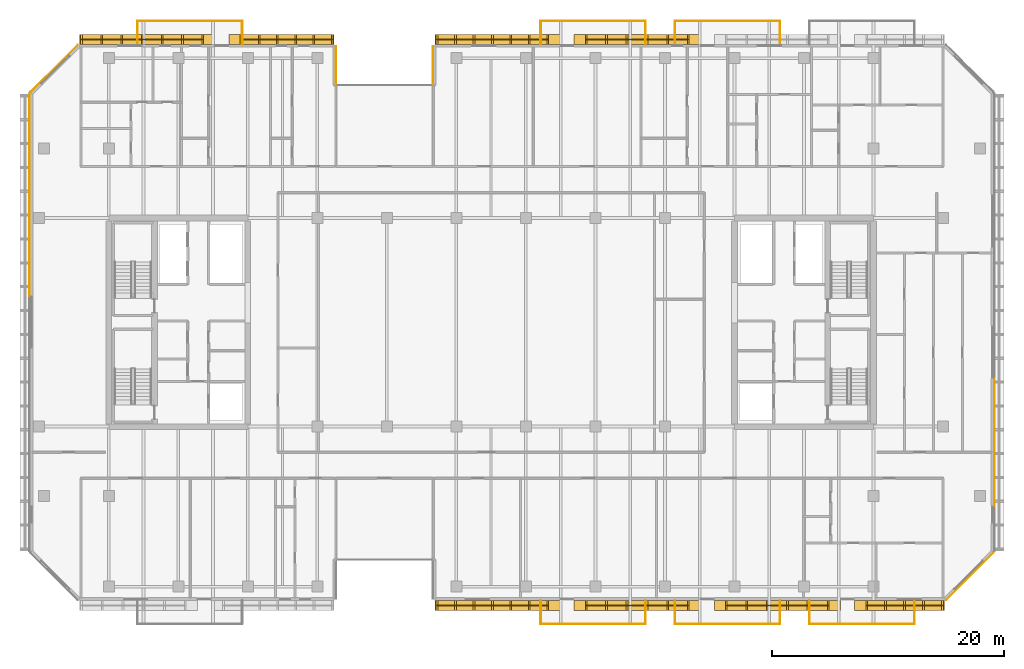
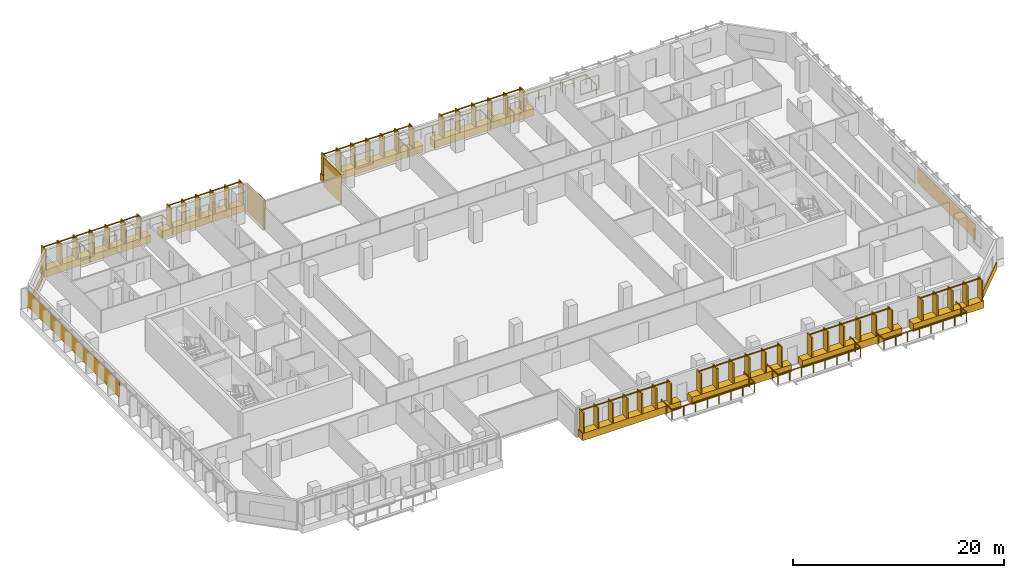
# One storey, part 21 of 23: 14 coverings, 14 railings.
"""IFC4 building model written with IfcOpenShell, lengths in metres."""

from ifc_helpers import new_model, si_unit, direction, frame, origin, origin_2d, place, context, subcontext, project, spatial, rectangle, extrude, material, layer, layer_set, type_object, element, save


model = new_model("IFC4")

# Units and contexts
model_context = context("Model", 3, precision=1e-05, world=origin(), true_north=direction((0.0, 1.0)))
body_context = subcontext(model_context, "Body", "Model", "MODEL_VIEW")
ifc_project = project(units=[si_unit("LENGTHUNIT", "METRE"), si_unit("AREAUNIT", "SQUARE_METRE"), si_unit("VOLUMEUNIT", "CUBIC_METRE"), si_unit("PLANEANGLEUNIT", "RADIAN"), si_unit("MASSUNIT", "GRAM", prefix="KILO")], contexts=[model_context])

# Site, building, storey
site_placement = place(None, origin())
site = spatial("IfcSite", under=ifc_project, at=site_placement, CompositionType="ELEMENT")
building_placement = place(site_placement, origin())
building = spatial("IfcBuilding", under=site, at=building_placement, Name="Tanjung Sevakor Pilgrim Tower", CompositionType="ELEMENT")
storey_placement = place(building_placement, frame((0.0, 0.0, 119.4599609375)))
storey = spatial("IfcBuildingStorey", under=building, at=storey_placement, Name="L33", CompositionType="ELEMENT", Elevation=119.4599609375)

# Coverings
ifc_material_1 = material(Name="Reconstructed Limestone Cladding", Category="masonry")
ifc_layer = layer(ifc_material_1, 0.044921875)
ifc_layer_set = layer_set([ifc_layer], Name="COV-CLAD-LIMESTONE")
covering_type = type_object("IfcCoveringType", Name="COV-CLAD-LIMESTONE", PredefinedType="CLADDING", material=ifc_layer_set)
covering_1_placement = place(storey_placement, frame((57.552490234375, 9.169921875, 0.009765625), z_axis=(0.0, 0.0, 1.0), x_axis=(1.0, 0.0, 0.0)))
element("IfcCovering", 1, at=covering_1_placement, inside=storey, type_object=covering_type, Name="L33 Warm Limestone Sill Spandrel EW-L33-MAIN-5-1", PredefinedType="CLADDING", context=body_context, shape_type="SweptSolid", body=[
    extrude(rectangle(XDim=10.77490234375, YDim=0.860107421875, at=origin_2d()), origin(), (0.0, 0.0, 1.0), 0.840087890625),
])
for number, where, z_axis, x_axis, name in (
    (2, (69.60009765625, 9.169921875, 0.009765625), (0.0, 0.0, 1.0), (1.0, 0.0, 0.0), "L33 Warm Limestone Sill Spandrel EW-L33-MAIN-5-2"),
    (3, (81.699951171875, 9.169921875, 0.009765625), (0.0, 0.0, 1.0), (1.0, 0.0, 0.0), "L33 Warm Limestone Sill Spandrel EW-L33-MAIN-5-3"),
):
    element("IfcCovering", number, at=place(storey_placement, frame(where, z_axis=z_axis, x_axis=x_axis)), inside=storey, type_object=covering_type, Name=name, PredefinedType="CLADDING", context=body_context, shape_type="SweptSolid", body=[
        extrude(rectangle(XDim=10.8798828125, YDim=0.860107421875, at=origin_2d()), origin(), (0.0, 0.0, 1.0), 0.840087890625),
    ])
covering_2_placement = place(storey_placement, frame((92.234130859375, 9.169921875, 0.009765625), z_axis=(0.0, 0.0, 1.0), x_axis=(1.0, 0.0, 0.0)))
element("IfcCovering", 4, at=covering_2_placement, inside=storey, type_object=covering_type, Name="L33 Warm Limestone Sill Spandrel EW-L33-MAIN-5-4", PredefinedType="CLADDING", context=body_context, shape_type="SweptSolid", body=[
    extrude(rectangle(XDim=7.748291015625, YDim=0.860107421875, at=origin_2d()), origin(), (0.0, 0.0, 1.0), 0.840087890625),
])
covering_3_placement = place(storey_placement, frame((98.31591796875, 11.68408203125, 0.009765625), z_axis=(0.0, 0.0, 1.0), x_axis=(0.707106781187, 0.707106781187, 0.0)))
element("IfcCovering", 5, at=covering_3_placement, inside=storey, type_object=covering_type, Name="L33 Warm Limestone Sill Spandrel EW-CHM-L33-MAIN-5-1", PredefinedType="CLADDING", context=body_context, shape_type="SweptSolid", body=[
    extrude(rectangle(XDim=5.756103515625, YDim=0.044921875, at=origin_2d()), origin(), (0.0, 0.0, 1.0), 0.840087890625),
])
covering_4_placement = place(storey_placement, frame((100.422607421875, 23.258056640625, 0.85009765625), z_axis=(0.0, 0.0, 1.0), x_axis=(0.0, 1.0, 0.0)))
element("IfcCovering", 6, at=covering_4_placement, inside=storey, type_object=covering_type, Name="L33 Warm Limestone Pier Panel EW-L33-MAIN-7-1", PredefinedType="CLADDING", context=body_context, shape_type="SweptSolid", body=[
    extrude(rectangle(XDim=11.004150390625, YDim=0.044921875, at=origin_2d()), origin(), (0.0, 0.0, 1.0), 1.81005859375),
])
covering_5_placement = place(storey_placement, frame((69.60009765625, 58.030029296875, 0.009765625), z_axis=(0.0, 0.0, 1.0), x_axis=(-1.0, 0.0, 0.0)))
element("IfcCovering", 7, at=covering_5_placement, inside=storey, type_object=covering_type, Name="L33 Warm Limestone Sill Spandrel EW-L33-MAIN-9-3", PredefinedType="CLADDING", context=body_context, shape_type="SweptSolid", body=[
    extrude(rectangle(XDim=10.8798828125, YDim=0.860107421875, at=origin_2d()), origin(), (0.0, 0.0, 1.0), 0.840087890625),
])
covering_6_placement = place(storey_placement, frame((57.552490234375, 58.030029296875, 0.009765625), z_axis=(0.0, 0.0, 1.0), x_axis=(-1.0, 0.0, 0.0)))
element("IfcCovering", 8, at=covering_6_placement, inside=storey, type_object=covering_type, Name="L33 Warm Limestone Sill Spandrel EW-L33-MAIN-9-4", PredefinedType="CLADDING", context=body_context, shape_type="SweptSolid", body=[
    extrude(rectangle(XDim=10.77490234375, YDim=0.860107421875, at=origin_2d()), origin(), (0.0, 0.0, 1.0), 0.840087890625),
])
for number, where, z_axis, x_axis, name in (
    (9, (51.9775390625, 55.77490234375, 0.02001953125), (0.0, 0.0, 1.0), (0.0, -1.0, 0.0), "L33 Warm Limestone Wall Cladding EW-L33-MAIN-10"),
    (10, (43.62255859375, 55.77490234375, 0.02001953125), (0.0, 0.0, 1.0), (0.0, 1.0, 0.0), "L33 Warm Limestone Wall Cladding EW-L33-MAIN-12"),
):
    element("IfcCovering", number, at=place(storey_placement, frame(where, z_axis=z_axis, x_axis=x_axis)), inside=storey, type_object=covering_type, Name=name, PredefinedType="CLADDING", context=body_context, shape_type="SweptSolid", body=[
        extrude(rectangle(XDim=3.360107421875, YDim=0.044921875, at=origin_2d()), origin(), (0.0, 0.0, 1.0), 3.31005859375),
    ])
covering_7_placement = place(storey_placement, frame((38.8974609375, 58.030029296875, 0.009765625), z_axis=(0.0, 0.0, 1.0), x_axis=(-1.0, 0.0, 0.0)))
element("IfcCovering", 11, at=covering_7_placement, inside=storey, type_object=covering_type, Name="L33 Warm Limestone Sill Spandrel EW-L33-MAIN-13-1", PredefinedType="CLADDING", context=body_context, shape_type="SweptSolid", body=[
    extrude(rectangle(XDim=9.074951171875, YDim=0.860107421875, at=origin_2d()), origin(), (0.0, 0.0, 1.0), 0.840087890625),
])
covering_8_placement = place(storey_placement, frame((27.31591796875, 58.030029296875, 0.009765625), z_axis=(0.0, 0.0, 1.0), x_axis=(-1.0, 0.0, 0.0)))
element("IfcCovering", 12, at=covering_8_placement, inside=storey, type_object=covering_type, Name="L33 Warm Limestone Sill Spandrel EW-L33-MAIN-13-2", PredefinedType="CLADDING", context=body_context, shape_type="SweptSolid", body=[
    extrude(rectangle(XDim=11.648193359375, YDim=0.860107421875, at=origin_2d()), origin(), (0.0, 0.0, 1.0), 0.840087890625),
])
covering_9_placement = place(storey_placement, frame((19.2841796875, 55.515869140625, 0.009765625), z_axis=(0.0, 0.0, 1.0), x_axis=(-0.707106781187, -0.707106781187, 0.0)))
element("IfcCovering", 13, at=covering_9_placement, inside=storey, type_object=covering_type, Name="L33 Warm Limestone Sill Spandrel EW-CHM-L33-MAIN-13-1", PredefinedType="CLADDING", context=body_context, shape_type="SweptSolid", body=[
    extrude(rectangle(XDim=5.756103515625, YDim=0.044921875, at=origin_2d()), origin(), (0.0, 0.0, 1.0), 0.840087890625),
])
covering_10_placement = place(storey_placement, frame((17.177490234375, 44.5791015625, 0.85009765625), z_axis=(0.0, 0.0, 1.0), x_axis=(0.0, -1.0, 0.0)))
element("IfcCovering", 14, at=covering_10_placement, inside=storey, type_object=covering_type, Name="L33 Warm Limestone Pier Panel EW-L33-MAIN-15-1", PredefinedType="CLADDING", context=body_context, shape_type="SweptSolid", body=[
    extrude(rectangle(XDim=17.458251953125, YDim=0.044921875, at=origin_2d()), origin(), (0.0, 0.0, 1.0), 1.81005859375),
])

# Railings
ifc_material_2 = material(Name="Laminated Glass and Aluminium", Category="aluminium")
railing_type_1 = type_object("IfcRailingType", Name="RL-BAL-BALUST", PredefinedType="BALUSTRADE", material=ifc_material_2)
railing_1_placement = place(storey_placement, frame((26.47998046875, 57.60009765625, 0.0)))
element("IfcRailing", 15, at=railing_1_placement, inside=storey, type_object=railing_type_1, Name="L33 Loggia Balustrade MAIN-N1", PredefinedType="BALUSTRADE", context=body_context, shape_type="SweptSolid", body=[
    extrude(rectangle(XDim=0.0479, YDim=0.0479), frame((0.0, 0.0, 1.1259765625), z_axis=(0.0, 1.0, 0.0), x_axis=(-1.0, 0.0, 0.0)), (0.0, 0.0, 1.0), 2.02001953125),
    extrude(rectangle(XDim=0.0479, YDim=0.0479), frame((0.0, 2.02001953125, 1.1259765625), z_axis=(1.0, 0.0, 0.0), x_axis=(0.0, 1.0, 0.0)), (0.0, 0.0, 1.0), 9.0400390625),
    extrude(rectangle(XDim=0.0479, YDim=0.0479), frame((9.0400390625, 2.02001953125, 1.1259765625), z_axis=(0.0, -1.0, 0.0), x_axis=(1.0, 0.0, 0.0)), (0.0, 0.0, 1.0), 2.02001953125),
    extrude(rectangle(XDim=0.042, YDim=0.042), origin(), (0.0, 0.0, 1.0), 1.101806640625),
    extrude(rectangle(XDim=0.042, YDim=0.042), frame((0.0, 1.010009765625, 0.0)), (0.0, 0.0, 1.0), 1.101806640625),
    extrude(rectangle(XDim=0.042, YDim=0.042), frame((0.0, 2.02001953125, 0.0)), (0.0, 0.0, 1.0), 1.101806640625),
    extrude(rectangle(XDim=0.042, YDim=0.042), frame((1.29150390625, 2.02001953125, 0.0)), (0.0, 0.0, 1.0), 1.101806640625),
    extrude(rectangle(XDim=0.042, YDim=0.042), frame((2.582763671875, 2.02001953125, 0.0)), (0.0, 0.0, 1.0), 1.101806640625),
    extrude(rectangle(XDim=0.042, YDim=0.042), frame((3.874267578125, 2.02001953125, 0.0)), (0.0, 0.0, 1.0), 1.101806640625),
    extrude(rectangle(XDim=0.042, YDim=0.042), frame((5.165771484375, 2.02001953125, 0.0)), (0.0, 0.0, 1.0), 1.101806640625),
    extrude(rectangle(XDim=0.042, YDim=0.042), frame((6.457275390625, 2.02001953125, 0.0)), (0.0, 0.0, 1.0), 1.101806640625),
    extrude(rectangle(XDim=0.042, YDim=0.042), frame((7.74853515625, 2.02001953125, 0.0)), (0.0, 0.0, 1.0), 1.101806640625),
    extrude(rectangle(XDim=0.042, YDim=0.042), frame((9.0400390625, 2.02001953125, 0.0)), (0.0, 0.0, 1.0), 1.101806640625),
    extrude(rectangle(XDim=0.042, YDim=0.042), frame((9.0400390625, 1.010009765625, 0.0)), (0.0, 0.0, 1.0), 1.101806640625),
    extrude(rectangle(XDim=0.042, YDim=0.042), frame((9.0400390625, 0.0, 0.0)), (0.0, 0.0, 1.0), 1.101806640625),
])
railing_2_placement = place(storey_placement, frame((61.280029296875, 9.60009765625, 0.0)))
element("IfcRailing", 16, at=railing_2_placement, inside=storey, type_object=railing_type_1, Name="L33 Loggia Balustrade MAIN-S2", PredefinedType="BALUSTRADE", context=body_context, shape_type="SweptSolid", body=[
    extrude(rectangle(XDim=0.0479, YDim=0.0479), frame((0.0, 0.0, 1.1259765625), z_axis=(0.0, -1.0, 0.0), x_axis=(1.0, 0.0, 0.0)), (0.0, 0.0, 1.0), 2.02001953125),
    extrude(rectangle(XDim=0.0479, YDim=0.0479), frame((0.0, -2.02001953125, 1.1259765625), z_axis=(1.0, 0.0, 0.0), x_axis=(0.0, 1.0, 0.0)), (0.0, 0.0, 1.0), 9.0400390625),
    extrude(rectangle(XDim=0.0479, YDim=0.0479), frame((9.0400390625, -2.02001953125, 1.1259765625), z_axis=(0.0, 1.0, 0.0), x_axis=(-1.0, 0.0, 0.0)), (0.0, 0.0, 1.0), 2.02001953125),
    extrude(rectangle(XDim=0.042, YDim=0.042), origin(), (0.0, 0.0, 1.0), 1.101806640625),
    extrude(rectangle(XDim=0.042, YDim=0.042), frame((0.0, -1.010009765625, 0.0)), (0.0, 0.0, 1.0), 1.101806640625),
    extrude(rectangle(XDim=0.042, YDim=0.042), frame((0.0, -2.02001953125, 0.0)), (0.0, 0.0, 1.0), 1.101806640625),
    extrude(rectangle(XDim=0.042, YDim=0.042), frame((1.29150390625, -2.02001953125, 0.0)), (0.0, 0.0, 1.0), 1.101806640625),
    extrude(rectangle(XDim=0.042, YDim=0.042), frame((2.582763671875, -2.02001953125, 0.0)), (0.0, 0.0, 1.0), 1.101806640625),
    extrude(rectangle(XDim=0.042, YDim=0.042), frame((3.874267578125, -2.02001953125, 0.0)), (0.0, 0.0, 1.0), 1.101806640625),
    extrude(rectangle(XDim=0.042, YDim=0.042), frame((5.165771484375, -2.02001953125, 0.0)), (0.0, 0.0, 1.0), 1.101806640625),
    extrude(rectangle(XDim=0.042, YDim=0.042), frame((6.457275390625, -2.02001953125, 0.0)), (0.0, 0.0, 1.0), 1.101806640625),
    extrude(rectangle(XDim=0.042, YDim=0.042), frame((7.74853515625, -2.02001953125, 0.0)), (0.0, 0.0, 1.0), 1.101806640625),
    extrude(rectangle(XDim=0.042, YDim=0.042), frame((9.0400390625, -2.02001953125, 0.0)), (0.0, 0.0, 1.0), 1.101806640625),
    extrude(rectangle(XDim=0.042, YDim=0.042), frame((9.0400390625, -1.010009765625, 0.0)), (0.0, 0.0, 1.0), 1.101806640625),
    extrude(rectangle(XDim=0.042, YDim=0.042), frame((9.0400390625, 0.0, 0.0)), (0.0, 0.0, 1.0), 1.101806640625),
])
railing_3_placement = place(storey_placement, frame((61.280029296875, 57.60009765625, 0.0)))
element("IfcRailing", 17, at=railing_3_placement, inside=storey, type_object=railing_type_1, Name="L33 Loggia Balustrade MAIN-N2", PredefinedType="BALUSTRADE", context=body_context, shape_type="SweptSolid", body=[
    extrude(rectangle(XDim=0.0479, YDim=0.0479), frame((0.0, 0.0, 1.1259765625), z_axis=(0.0, 1.0, 0.0), x_axis=(-1.0, 0.0, 0.0)), (0.0, 0.0, 1.0), 2.02001953125),
    extrude(rectangle(XDim=0.0479, YDim=0.0479), frame((0.0, 2.02001953125, 1.1259765625), z_axis=(1.0, 0.0, 0.0), x_axis=(0.0, 1.0, 0.0)), (0.0, 0.0, 1.0), 9.0400390625),
    extrude(rectangle(XDim=0.0479, YDim=0.0479), frame((9.0400390625, 2.02001953125, 1.1259765625), z_axis=(0.0, -1.0, 0.0), x_axis=(1.0, 0.0, 0.0)), (0.0, 0.0, 1.0), 2.02001953125),
    extrude(rectangle(XDim=0.042, YDim=0.042), origin(), (0.0, 0.0, 1.0), 1.101806640625),
    extrude(rectangle(XDim=0.042, YDim=0.042), frame((0.0, 1.010009765625, 0.0)), (0.0, 0.0, 1.0), 1.101806640625),
    extrude(rectangle(XDim=0.042, YDim=0.042), frame((0.0, 2.02001953125, 0.0)), (0.0, 0.0, 1.0), 1.101806640625),
    extrude(rectangle(XDim=0.042, YDim=0.042), frame((1.29150390625, 2.02001953125, 0.0)), (0.0, 0.0, 1.0), 1.101806640625),
    extrude(rectangle(XDim=0.042, YDim=0.042), frame((2.582763671875, 2.02001953125, 0.0)), (0.0, 0.0, 1.0), 1.101806640625),
    extrude(rectangle(XDim=0.042, YDim=0.042), frame((3.874267578125, 2.02001953125, 0.0)), (0.0, 0.0, 1.0), 1.101806640625),
    extrude(rectangle(XDim=0.042, YDim=0.042), frame((5.165771484375, 2.02001953125, 0.0)), (0.0, 0.0, 1.0), 1.101806640625),
    extrude(rectangle(XDim=0.042, YDim=0.042), frame((6.457275390625, 2.02001953125, 0.0)), (0.0, 0.0, 1.0), 1.101806640625),
    extrude(rectangle(XDim=0.042, YDim=0.042), frame((7.74853515625, 2.02001953125, 0.0)), (0.0, 0.0, 1.0), 1.101806640625),
    extrude(rectangle(XDim=0.042, YDim=0.042), frame((9.0400390625, 2.02001953125, 0.0)), (0.0, 0.0, 1.0), 1.101806640625),
    extrude(rectangle(XDim=0.042, YDim=0.042), frame((9.0400390625, 1.010009765625, 0.0)), (0.0, 0.0, 1.0), 1.101806640625),
    extrude(rectangle(XDim=0.042, YDim=0.042), frame((9.0400390625, 0.0, 0.0)), (0.0, 0.0, 1.0), 1.101806640625),
])
railing_4_placement = place(storey_placement, frame((72.8798828125, 9.60009765625, 0.0)))
element("IfcRailing", 18, at=railing_4_placement, inside=storey, type_object=railing_type_1, Name="L33 Loggia Balustrade MAIN-S3", PredefinedType="BALUSTRADE", context=body_context, shape_type="SweptSolid", body=[
    extrude(rectangle(XDim=0.0479, YDim=0.0479), frame((0.0, 0.0, 1.1259765625), z_axis=(0.0, -1.0, 0.0), x_axis=(1.0, 0.0, 0.0)), (0.0, 0.0, 1.0), 2.02001953125),
    extrude(rectangle(XDim=0.0479, YDim=0.0479), frame((0.0, -2.02001953125, 1.1259765625), z_axis=(1.0, 0.0, 0.0), x_axis=(0.0, 1.0, 0.0)), (0.0, 0.0, 1.0), 9.0400390625),
    extrude(rectangle(XDim=0.0479, YDim=0.0479), frame((9.0400390625, -2.02001953125, 1.1259765625), z_axis=(0.0, 1.0, 0.0), x_axis=(-1.0, 0.0, 0.0)), (0.0, 0.0, 1.0), 2.02001953125),
    extrude(rectangle(XDim=0.042, YDim=0.042), origin(), (0.0, 0.0, 1.0), 1.101806640625),
    extrude(rectangle(XDim=0.042, YDim=0.042), frame((0.0, -1.010009765625, 0.0)), (0.0, 0.0, 1.0), 1.101806640625),
    extrude(rectangle(XDim=0.042, YDim=0.042), frame((0.0, -2.02001953125, 0.0)), (0.0, 0.0, 1.0), 1.101806640625),
    extrude(rectangle(XDim=0.042, YDim=0.042), frame((1.29150390625, -2.02001953125, 0.0)), (0.0, 0.0, 1.0), 1.101806640625),
    extrude(rectangle(XDim=0.042, YDim=0.042), frame((2.582763671875, -2.02001953125, 0.0)), (0.0, 0.0, 1.0), 1.101806640625),
    extrude(rectangle(XDim=0.042, YDim=0.042), frame((3.874267578125, -2.02001953125, 0.0)), (0.0, 0.0, 1.0), 1.101806640625),
    extrude(rectangle(XDim=0.042, YDim=0.042), frame((5.165771484375, -2.02001953125, 0.0)), (0.0, 0.0, 1.0), 1.101806640625),
    extrude(rectangle(XDim=0.042, YDim=0.042), frame((6.457275390625, -2.02001953125, 0.0)), (0.0, 0.0, 1.0), 1.101806640625),
    extrude(rectangle(XDim=0.042, YDim=0.042), frame((7.74853515625, -2.02001953125, 0.0)), (0.0, 0.0, 1.0), 1.101806640625),
    extrude(rectangle(XDim=0.042, YDim=0.042), frame((9.0400390625, -2.02001953125, 0.0)), (0.0, 0.0, 1.0), 1.101806640625),
    extrude(rectangle(XDim=0.042, YDim=0.042), frame((9.0400390625, -1.010009765625, 0.0)), (0.0, 0.0, 1.0), 1.101806640625),
    extrude(rectangle(XDim=0.042, YDim=0.042), frame((9.0400390625, 0.0, 0.0)), (0.0, 0.0, 1.0), 1.101806640625),
])
railing_5_placement = place(storey_placement, frame((72.8798828125, 57.60009765625, 0.0)))
element("IfcRailing", 19, at=railing_5_placement, inside=storey, type_object=railing_type_1, Name="L33 Loggia Balustrade MAIN-N3", PredefinedType="BALUSTRADE", context=body_context, shape_type="SweptSolid", body=[
    extrude(rectangle(XDim=0.0479, YDim=0.0479), frame((0.0, 0.0, 1.1259765625), z_axis=(0.0, 1.0, 0.0), x_axis=(-1.0, 0.0, 0.0)), (0.0, 0.0, 1.0), 2.02001953125),
    extrude(rectangle(XDim=0.0479, YDim=0.0479), frame((0.0, 2.02001953125, 1.1259765625), z_axis=(1.0, 0.0, 0.0), x_axis=(0.0, 1.0, 0.0)), (0.0, 0.0, 1.0), 9.0400390625),
    extrude(rectangle(XDim=0.0479, YDim=0.0479), frame((9.0400390625, 2.02001953125, 1.1259765625), z_axis=(0.0, -1.0, 0.0), x_axis=(1.0, 0.0, 0.0)), (0.0, 0.0, 1.0), 2.02001953125),
    extrude(rectangle(XDim=0.042, YDim=0.042), origin(), (0.0, 0.0, 1.0), 1.101806640625),
    extrude(rectangle(XDim=0.042, YDim=0.042), frame((0.0, 1.010009765625, 0.0)), (0.0, 0.0, 1.0), 1.101806640625),
    extrude(rectangle(XDim=0.042, YDim=0.042), frame((0.0, 2.02001953125, 0.0)), (0.0, 0.0, 1.0), 1.101806640625),
    extrude(rectangle(XDim=0.042, YDim=0.042), frame((1.29150390625, 2.02001953125, 0.0)), (0.0, 0.0, 1.0), 1.101806640625),
    extrude(rectangle(XDim=0.042, YDim=0.042), frame((2.582763671875, 2.02001953125, 0.0)), (0.0, 0.0, 1.0), 1.101806640625),
    extrude(rectangle(XDim=0.042, YDim=0.042), frame((3.874267578125, 2.02001953125, 0.0)), (0.0, 0.0, 1.0), 1.101806640625),
    extrude(rectangle(XDim=0.042, YDim=0.042), frame((5.165771484375, 2.02001953125, 0.0)), (0.0, 0.0, 1.0), 1.101806640625),
    extrude(rectangle(XDim=0.042, YDim=0.042), frame((6.457275390625, 2.02001953125, 0.0)), (0.0, 0.0, 1.0), 1.101806640625),
    extrude(rectangle(XDim=0.042, YDim=0.042), frame((7.74853515625, 2.02001953125, 0.0)), (0.0, 0.0, 1.0), 1.101806640625),
    extrude(rectangle(XDim=0.042, YDim=0.042), frame((9.0400390625, 2.02001953125, 0.0)), (0.0, 0.0, 1.0), 1.101806640625),
    extrude(rectangle(XDim=0.042, YDim=0.042), frame((9.0400390625, 1.010009765625, 0.0)), (0.0, 0.0, 1.0), 1.101806640625),
    extrude(rectangle(XDim=0.042, YDim=0.042), frame((9.0400390625, 0.0, 0.0)), (0.0, 0.0, 1.0), 1.101806640625),
])
railing_6_placement = place(storey_placement, frame((84.47998046875, 9.60009765625, 0.0)))
element("IfcRailing", 20, at=railing_6_placement, inside=storey, type_object=railing_type_1, Name="L33 Loggia Balustrade MAIN-S4", PredefinedType="BALUSTRADE", context=body_context, shape_type="SweptSolid", body=[
    extrude(rectangle(XDim=0.0479, YDim=0.0479), frame((0.0, 0.0, 1.1259765625), z_axis=(0.0, -1.0, 0.0), x_axis=(1.0, 0.0, 0.0)), (0.0, 0.0, 1.0), 2.02001953125),
    extrude(rectangle(XDim=0.0479, YDim=0.0479), frame((0.0, -2.02001953125, 1.1259765625), z_axis=(1.0, 0.0, 0.0), x_axis=(0.0, 1.0, 0.0)), (0.0, 0.0, 1.0), 9.0400390625),
    extrude(rectangle(XDim=0.0479, YDim=0.0479), frame((9.0400390625, -2.02001953125, 1.1259765625), z_axis=(0.0, 1.0, 0.0), x_axis=(-1.0, 0.0, 0.0)), (0.0, 0.0, 1.0), 2.02001953125),
    extrude(rectangle(XDim=0.042, YDim=0.042), origin(), (0.0, 0.0, 1.0), 1.101806640625),
    extrude(rectangle(XDim=0.042, YDim=0.042), frame((0.0, -1.010009765625, 0.0)), (0.0, 0.0, 1.0), 1.101806640625),
    extrude(rectangle(XDim=0.042, YDim=0.042), frame((0.0, -2.02001953125, 0.0)), (0.0, 0.0, 1.0), 1.101806640625),
    extrude(rectangle(XDim=0.042, YDim=0.042), frame((1.29150390625, -2.02001953125, 0.0)), (0.0, 0.0, 1.0), 1.101806640625),
    extrude(rectangle(XDim=0.042, YDim=0.042), frame((2.582763671875, -2.02001953125, 0.0)), (0.0, 0.0, 1.0), 1.101806640625),
    extrude(rectangle(XDim=0.042, YDim=0.042), frame((3.874267578125, -2.02001953125, 0.0)), (0.0, 0.0, 1.0), 1.101806640625),
    extrude(rectangle(XDim=0.042, YDim=0.042), frame((5.165771484375, -2.02001953125, 0.0)), (0.0, 0.0, 1.0), 1.101806640625),
    extrude(rectangle(XDim=0.042, YDim=0.042), frame((6.457275390625, -2.02001953125, 0.0)), (0.0, 0.0, 1.0), 1.101806640625),
    extrude(rectangle(XDim=0.042, YDim=0.042), frame((7.74853515625, -2.02001953125, 0.0)), (0.0, 0.0, 1.0), 1.101806640625),
    extrude(rectangle(XDim=0.042, YDim=0.042), frame((9.0400390625, -2.02001953125, 0.0)), (0.0, 0.0, 1.0), 1.101806640625),
    extrude(rectangle(XDim=0.042, YDim=0.042), frame((9.0400390625, -1.010009765625, 0.0)), (0.0, 0.0, 1.0), 1.101806640625),
    extrude(rectangle(XDim=0.042, YDim=0.042), frame((9.0400390625, 0.0, 0.0)), (0.0, 0.0, 1.0), 1.101806640625),
])
ifc_material_3 = material(Name="Anodised Bronze Aluminium 6063-T6", Category="aluminium")
railing_type_2 = type_object("IfcRailingType", Name="RL-FIN-SCREEN", PredefinedType="BALUSTRADE", material=ifc_material_3)
railing_7_placement = place(storey_placement, frame((52.324951171875, 9.175048828125, 0.840087890625)))
element("IfcRailing", 21, at=railing_7_placement, inside=storey, type_object=railing_type_2, Name="L33 Vertical Bronze-Gold Solar Fin Screen FNSCR-EW-L33-MAIN-5-1", PredefinedType="BALUSTRADE", context=body_context, shape_type="SweptSolid", body=[
    extrude(rectangle(XDim=0.105, YDim=0.105), frame((0.0, 0.0, 2.427490234375), z_axis=(1.0, 0.0, 0.0), x_axis=(0.0, 1.0, 0.0)), (0.0, 0.0, 1.0), 9.574951171875),
    extrude(rectangle(XDim=0.14, YDim=0.85), origin(), (0.0, 0.0, 1.0), 2.375),
    extrude(rectangle(XDim=0.14, YDim=0.85), frame((1.595703125, 0.0, 0.0)), (0.0, 0.0, 1.0), 2.375),
    extrude(rectangle(XDim=0.14, YDim=0.85), frame((3.191650390625, 0.0, 0.0)), (0.0, 0.0, 1.0), 2.375),
    extrude(rectangle(XDim=0.14, YDim=0.85), frame((4.78759765625, 0.0, 0.0)), (0.0, 0.0, 1.0), 2.375),
    extrude(rectangle(XDim=0.14, YDim=0.85), frame((6.38330078125, 0.0, 0.0)), (0.0, 0.0, 1.0), 2.375),
    extrude(rectangle(XDim=0.14, YDim=0.85), frame((7.97900390625, 0.0, 0.0)), (0.0, 0.0, 1.0), 2.375),
    extrude(rectangle(XDim=0.14, YDim=0.85), frame((9.574951171875, 0.0, 0.0)), (0.0, 0.0, 1.0), 2.375),
])
for number, where, name in (
    (22, (65.199951171875, 9.175048828125, 0.840087890625), "L33 Vertical Bronze-Gold Solar Fin Screen FNSCR-EW-L33-MAIN-5-2"),
    (23, (77.300048828125, 9.175048828125, 0.840087890625), "L33 Vertical Bronze-Gold Solar Fin Screen FNSCR-EW-L33-MAIN-5-3"),
):
    element("IfcRailing", number, at=place(storey_placement, frame(where)), inside=storey, type_object=railing_type_2, Name=name, PredefinedType="BALUSTRADE", context=body_context, shape_type="SweptSolid", body=[
        extrude(rectangle(XDim=0.105, YDim=0.105), frame((0.0, 0.0, 2.427490234375), z_axis=(1.0, 0.0, 0.0), x_axis=(0.0, 1.0, 0.0)), (0.0, 0.0, 1.0), 8.800048828125),
        extrude(rectangle(XDim=0.14, YDim=0.85), origin(), (0.0, 0.0, 1.0), 2.375),
        extrude(rectangle(XDim=0.14, YDim=0.85), frame((1.760009765625, 0.0, 0.0)), (0.0, 0.0, 1.0), 2.375),
        extrude(rectangle(XDim=0.14, YDim=0.85), frame((3.52001953125, 0.0, 0.0)), (0.0, 0.0, 1.0), 2.375),
        extrude(rectangle(XDim=0.14, YDim=0.85), frame((5.280029296875, 0.0, 0.0)), (0.0, 0.0, 1.0), 2.375),
        extrude(rectangle(XDim=0.14, YDim=0.85), frame((7.0400390625, 0.0, 0.0)), (0.0, 0.0, 1.0), 2.375),
        extrude(rectangle(XDim=0.14, YDim=0.85), frame((8.800048828125, 0.0, 0.0)), (0.0, 0.0, 1.0), 2.375),
    ])
railing_8_placement = place(storey_placement, frame((89.39990234375, 9.175048828125, 0.840087890625)))
element("IfcRailing", 24, at=railing_8_placement, inside=storey, type_object=railing_type_2, Name="L33 Vertical Bronze-Gold Solar Fin Screen FNSCR-EW-L33-MAIN-5-4", PredefinedType="BALUSTRADE", context=body_context, shape_type="SweptSolid", body=[
    extrude(rectangle(XDim=0.105, YDim=0.105), frame((0.0, 0.0, 2.427490234375), z_axis=(1.0, 0.0, 0.0), x_axis=(0.0, 1.0, 0.0)), (0.0, 0.0, 1.0), 6.54833984375),
    extrude(rectangle(XDim=0.14, YDim=0.85), origin(), (0.0, 0.0, 1.0), 2.375),
    extrude(rectangle(XDim=0.14, YDim=0.85), frame((1.63720703125, 0.0, 0.0)), (0.0, 0.0, 1.0), 2.375),
    extrude(rectangle(XDim=0.14, YDim=0.85), frame((3.274169921875, 0.0, 0.0)), (0.0, 0.0, 1.0), 2.375),
    extrude(rectangle(XDim=0.14, YDim=0.85), frame((4.9111328125, 0.0, 0.0)), (0.0, 0.0, 1.0), 2.375),
    extrude(rectangle(XDim=0.14, YDim=0.85), frame((6.54833984375, 0.0, 0.0)), (0.0, 0.0, 1.0), 2.375),
])
railing_9_placement = place(storey_placement, frame((74.0, 58.02490234375, 0.840087890625)))
element("IfcRailing", 25, at=railing_9_placement, inside=storey, type_object=railing_type_2, Name="L33 Vertical Bronze-Gold Solar Fin Screen FNSCR-EW-L33-MAIN-9-3", PredefinedType="BALUSTRADE", context=body_context, shape_type="SweptSolid", body=[
    extrude(rectangle(XDim=0.105, YDim=0.105), frame((0.0, 0.0, 2.427490234375), z_axis=(-1.0, 0.0, 0.0), x_axis=(0.0, -1.0, 0.0)), (0.0, 0.0, 1.0), 8.800048828125),
    extrude(rectangle(XDim=0.14, YDim=0.85), origin(), (0.0, 0.0, 1.0), 2.375),
    extrude(rectangle(XDim=0.14, YDim=0.85), frame((-1.760009765625, 0.0, 0.0)), (0.0, 0.0, 1.0), 2.375),
    extrude(rectangle(XDim=0.14, YDim=0.85), frame((-3.52001953125, 0.0, 0.0)), (0.0, 0.0, 1.0), 2.375),
    extrude(rectangle(XDim=0.14, YDim=0.85), frame((-5.280029296875, 0.0, 0.0)), (0.0, 0.0, 1.0), 2.375),
    extrude(rectangle(XDim=0.14, YDim=0.85), frame((-7.0400390625, 0.0, 0.0)), (0.0, 0.0, 1.0), 2.375),
    extrude(rectangle(XDim=0.14, YDim=0.85), frame((-8.800048828125, 0.0, 0.0)), (0.0, 0.0, 1.0), 2.375),
])
railing_10_placement = place(storey_placement, frame((61.89990234375, 58.02490234375, 0.840087890625)))
element("IfcRailing", 26, at=railing_10_placement, inside=storey, type_object=railing_type_2, Name="L33 Vertical Bronze-Gold Solar Fin Screen FNSCR-EW-L33-MAIN-9-4", PredefinedType="BALUSTRADE", context=body_context, shape_type="SweptSolid", body=[
    extrude(rectangle(XDim=0.105, YDim=0.105), frame((0.0, 0.0, 2.427490234375), z_axis=(-1.0, 0.0, 0.0), x_axis=(0.0, -1.0, 0.0)), (0.0, 0.0, 1.0), 9.574951171875),
    extrude(rectangle(XDim=0.14, YDim=0.85), origin(), (0.0, 0.0, 1.0), 2.375),
    extrude(rectangle(XDim=0.14, YDim=0.85), frame((-1.595703125, 0.0, 0.0)), (0.0, 0.0, 1.0), 2.375),
    extrude(rectangle(XDim=0.14, YDim=0.85), frame((-3.191650390625, 0.0, 0.0)), (0.0, 0.0, 1.0), 2.375),
    extrude(rectangle(XDim=0.14, YDim=0.85), frame((-4.78759765625, 0.0, 0.0)), (0.0, 0.0, 1.0), 2.375),
    extrude(rectangle(XDim=0.14, YDim=0.85), frame((-6.38330078125, 0.0, 0.0)), (0.0, 0.0, 1.0), 2.375),
    extrude(rectangle(XDim=0.14, YDim=0.85), frame((-7.97900390625, 0.0, 0.0)), (0.0, 0.0, 1.0), 2.375),
    extrude(rectangle(XDim=0.14, YDim=0.85), frame((-9.574951171875, 0.0, 0.0)), (0.0, 0.0, 1.0), 2.375),
])
railing_11_placement = place(storey_placement, frame((43.27490234375, 58.02490234375, 0.840087890625)))
element("IfcRailing", 27, at=railing_11_placement, inside=storey, type_object=railing_type_2, Name="L33 Vertical Bronze-Gold Solar Fin Screen FNSCR-EW-L33-MAIN-13-1", PredefinedType="BALUSTRADE", context=body_context, shape_type="SweptSolid", body=[
    extrude(rectangle(XDim=0.105, YDim=0.105), frame((0.0, 0.0, 2.427490234375), z_axis=(-1.0, 0.0, 0.0), x_axis=(0.0, -1.0, 0.0)), (0.0, 0.0, 1.0), 7.875),
    extrude(rectangle(XDim=0.14, YDim=0.85), origin(), (0.0, 0.0, 1.0), 2.375),
    extrude(rectangle(XDim=0.14, YDim=0.85), frame((-1.574951171875, 0.0, 0.0)), (0.0, 0.0, 1.0), 2.375),
    extrude(rectangle(XDim=0.14, YDim=0.85), frame((-3.14990234375, 0.0, 0.0)), (0.0, 0.0, 1.0), 2.375),
    extrude(rectangle(XDim=0.14, YDim=0.85), frame((-4.72509765625, 0.0, 0.0)), (0.0, 0.0, 1.0), 2.375),
    extrude(rectangle(XDim=0.14, YDim=0.85), frame((-6.300048828125, 0.0, 0.0)), (0.0, 0.0, 1.0), 2.375),
    extrude(rectangle(XDim=0.14, YDim=0.85), frame((-7.875, 0.0, 0.0)), (0.0, 0.0, 1.0), 2.375),
])
railing_12_placement = place(storey_placement, frame((32.10009765625, 58.02490234375, 0.840087890625)))
element("IfcRailing", 28, at=railing_12_placement, inside=storey, type_object=railing_type_2, Name="L33 Vertical Bronze-Gold Solar Fin Screen FNSCR-EW-L33-MAIN-13-2", PredefinedType="BALUSTRADE", context=body_context, shape_type="SweptSolid", body=[
    extrude(rectangle(XDim=0.105, YDim=0.105), frame((0.0, 0.0, 2.427490234375), z_axis=(-1.0, 0.0, 0.0), x_axis=(0.0, -1.0, 0.0)), (0.0, 0.0, 1.0), 10.4482421875),
    extrude(rectangle(XDim=0.14, YDim=0.85), origin(), (0.0, 0.0, 1.0), 2.375),
    extrude(rectangle(XDim=0.14, YDim=0.85), frame((-1.741455078125, 0.0, 0.0)), (0.0, 0.0, 1.0), 2.375),
    extrude(rectangle(XDim=0.14, YDim=0.85), frame((-3.482666015625, 0.0, 0.0)), (0.0, 0.0, 1.0), 2.375),
    extrude(rectangle(XDim=0.14, YDim=0.85), frame((-5.22412109375, 0.0, 0.0)), (0.0, 0.0, 1.0), 2.375),
    extrude(rectangle(XDim=0.14, YDim=0.85), frame((-6.965576171875, 0.0, 0.0)), (0.0, 0.0, 1.0), 2.375),
    extrude(rectangle(XDim=0.14, YDim=0.85), frame((-8.706787109375, 0.0, 0.0)), (0.0, 0.0, 1.0), 2.375),
    extrude(rectangle(XDim=0.14, YDim=0.85), frame((-10.4482421875, 0.0, 0.0)), (0.0, 0.0, 1.0), 2.375),
])

save(model, "model.ifc")
